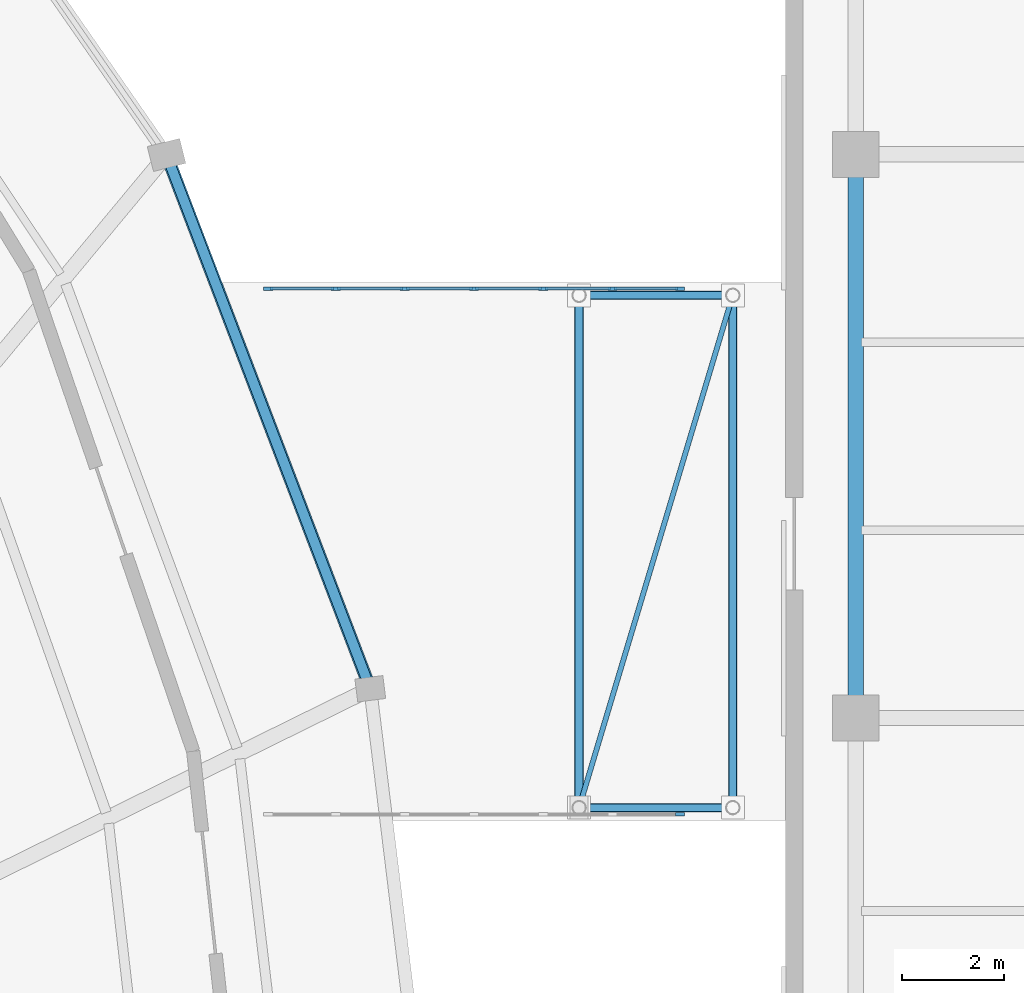
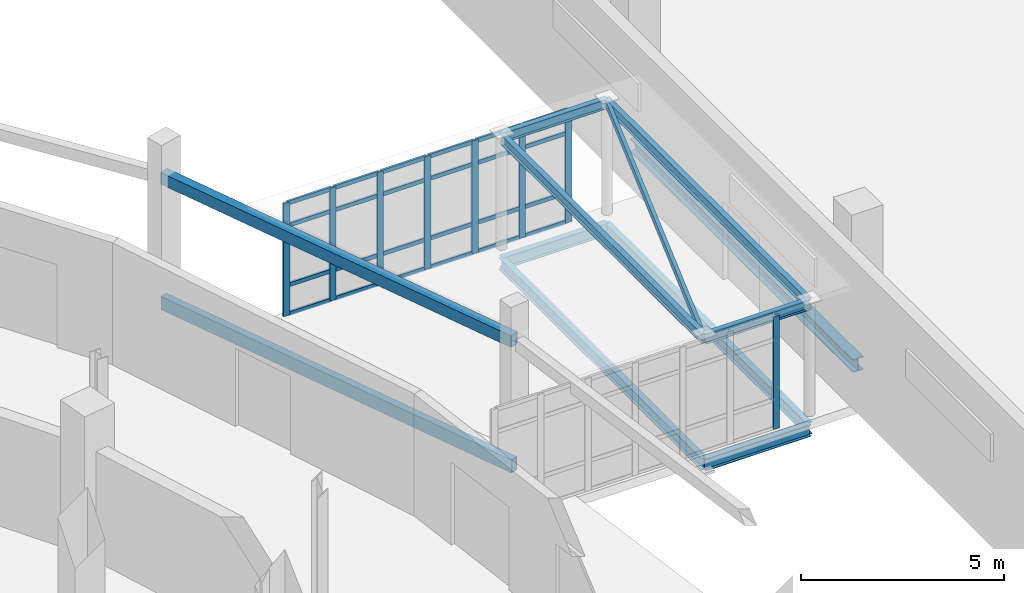
# One storey, part 73 of 122: 33 members, 11 beams, 2 elements without a shape of their own.
"""IFC4 building model written with IfcOpenShell, lengths in metres."""

from ifc_helpers import new_model, si_unit, direction, frame, origin, origin_2d, place, context, subcontext, project, spatial, rectangle, hollow_rectangle, i_section, extrude, material, layer, layer_set, material_profile, profile_set, type_object, element, aggregate, save


model = new_model("IFC4")

# Units and contexts
model_context = context("Model", 3, precision=1e-05, world=origin(), true_north=direction((0.0, 1.0)))
body_context = subcontext(model_context, "Body", "Model", "MODEL_VIEW")
ifc_project = project(units=[si_unit("LENGTHUNIT", "METRE"), si_unit("AREAUNIT", "SQUARE_METRE"), si_unit("VOLUMEUNIT", "CUBIC_METRE"), si_unit("PLANEANGLEUNIT", "RADIAN"), si_unit("MASSUNIT", "GRAM", prefix="KILO")], contexts=[model_context])

# Site, building, storey
site_placement = place(None, origin())
site = spatial("IfcSite", under=ifc_project, at=site_placement, CompositionType="ELEMENT")
building_placement = place(site_placement, origin())
building = spatial("IfcBuilding", under=site, at=building_placement, Name="Sohan Crest Arena", CompositionType="ELEMENT")
storey_placement = place(building_placement, origin())
storey = spatial("IfcBuildingStorey", under=building, at=storey_placement, Name="L00", CompositionType="ELEMENT", Elevation=0.0)

# Curtain wall, member
ifc_material_1 = material(Name="Thermally broken anodised aluminium", Category="aluminium")
ifc_layer = layer(ifc_material_1, 0.18994140625, Name="Thermally broken anodised aluminium")
ifc_layer_set = layer_set([ifc_layer], Name="Thermally broken anodised aluminium")
curtain_wall_type = type_object("IfcCurtainWallType", Name="ARC-CW05", PredefinedType="NOTDEFINED", material=ifc_layer_set)
curtain_wall_1_placement = place(storey_placement, origin())
curtain_wall_1 = element("IfcCurtainWall", 1, at=curtain_wall_1_placement, inside=storey, type_object=curtain_wall_type, Name="Unitised curtain wall CW-245", PredefinedType="NOTDEFINED")
ifc_material_profile_1 = material_profile(ifc_material_1, rectangle(XDim=0.06494140625, YDim=0.179931640625, at=origin_2d()), Name="ALU-MULL 65x180")
ifc_profile_set_1 = profile_set([ifc_material_profile_1], Name="Thermally broken anodised aluminium")
member_type_1 = type_object("IfcMemberType", Name="ARC-CW-ML02", PredefinedType="MULLION", material=ifc_profile_set_1)
member_1_placement = place(storey_placement, frame((192.767578125, 86.6201171875, 0.0), z_axis=(0.0, 0.0, 1.0), x_axis=(0.0, 1.0, 0.0)))
member_1 = element("IfcMember", 2, at=member_1_placement, type_object=member_type_1, Name="CW-245 mullion 7", PredefinedType="MULLION", context=body_context, shape_type="SweptSolid", body=[
    extrude(rectangle(XDim=0.06494140625, YDim=0.179931640625, at=origin_2d()), origin(), (0.0, 0.0, 1.0), 3.39990234375),
])
aggregate(curtain_wall_1, [member_1])

# Curtain wall, members
curtain_wall_2_placement = place(storey_placement, origin())
curtain_wall_2 = element("IfcCurtainWall", 3, at=curtain_wall_2_placement, inside=storey, type_object=curtain_wall_type, Name="Unitised curtain wall CW-246", PredefinedType="NOTDEFINED")
member_2_placement = place(storey_placement, frame((184.732421875, 96.8798828125, 0.0), z_axis=(0.0, 0.0, 1.0), x_axis=(0.0, 1.0, 0.0)))
member_2 = element("IfcMember", 4, at=member_2_placement, type_object=member_type_1, Name="CW-246 mullion 1", PredefinedType="MULLION", context=body_context, shape_type="SweptSolid", body=[
    extrude(rectangle(XDim=0.06494140625, YDim=0.179931640625, at=origin_2d()), origin(), (0.0, 0.0, 1.0), 3.39990234375),
])
member_3_placement = place(storey_placement, frame((186.050048828125, 96.8798828125, 0.0), z_axis=(0.0, 0.0, 1.0), x_axis=(0.0, 1.0, 0.0)))
member_3 = element("IfcMember", 5, at=member_3_placement, type_object=member_type_1, Name="CW-246 mullion 2", PredefinedType="MULLION", context=body_context, shape_type="SweptSolid", body=[
    extrude(rectangle(XDim=0.06494140625, YDim=0.179931640625, at=origin_2d()), origin(), (0.0, 0.0, 1.0), 3.39990234375),
])
member_4_placement = place(storey_placement, frame((187.39990234375, 96.8798828125, 0.0), z_axis=(0.0, 0.0, 1.0), x_axis=(0.0, 1.0, 0.0)))
member_4 = element("IfcMember", 6, at=member_4_placement, type_object=member_type_1, Name="CW-246 mullion 3", PredefinedType="MULLION", context=body_context, shape_type="SweptSolid", body=[
    extrude(rectangle(XDim=0.06494140625, YDim=0.179931640625, at=origin_2d()), origin(), (0.0, 0.0, 1.0), 3.39990234375),
])
member_5_placement = place(storey_placement, frame((188.75, 96.8798828125, 0.0), z_axis=(0.0, 0.0, 1.0), x_axis=(0.0, 1.0, 0.0)))
member_5 = element("IfcMember", 7, at=member_5_placement, type_object=member_type_1, Name="CW-246 mullion 4", PredefinedType="MULLION", context=body_context, shape_type="SweptSolid", body=[
    extrude(rectangle(XDim=0.06494140625, YDim=0.179931640625, at=origin_2d()), origin(), (0.0, 0.0, 1.0), 3.39990234375),
])
member_6_placement = place(storey_placement, frame((190.10009765625, 96.8798828125, 0.0), z_axis=(0.0, 0.0, 1.0), x_axis=(0.0, 1.0, 0.0)))
member_6 = element("IfcMember", 8, at=member_6_placement, type_object=member_type_1, Name="CW-246 mullion 5", PredefinedType="MULLION", context=body_context, shape_type="SweptSolid", body=[
    extrude(rectangle(XDim=0.06494140625, YDim=0.179931640625, at=origin_2d()), origin(), (0.0, 0.0, 1.0), 3.39990234375),
])
member_7_placement = place(storey_placement, frame((191.449951171875, 96.8798828125, 0.0), z_axis=(0.0, 0.0, 1.0), x_axis=(0.0, 1.0, 0.0)))
member_7 = element("IfcMember", 9, at=member_7_placement, type_object=member_type_1, Name="CW-246 mullion 6", PredefinedType="MULLION", context=body_context, shape_type="SweptSolid", body=[
    extrude(rectangle(XDim=0.06494140625, YDim=0.179931640625, at=origin_2d()), origin(), (0.0, 0.0, 1.0), 3.39990234375),
])
member_8_placement = place(storey_placement, frame((192.767578125, 96.8798828125, 0.0), z_axis=(0.0, 0.0, 1.0), x_axis=(0.0, 1.0, 0.0)))
member_8 = element("IfcMember", 10, at=member_8_placement, type_object=member_type_1, Name="CW-246 mullion 7", PredefinedType="MULLION", context=body_context, shape_type="SweptSolid", body=[
    extrude(rectangle(XDim=0.06494140625, YDim=0.179931640625, at=origin_2d()), origin(), (0.0, 0.0, 1.0), 3.39990234375),
])
ifc_material_profile_2 = material_profile(ifc_material_1, rectangle(XDim=0.06005859375, YDim=0.1201171875, at=origin_2d()), Name="ALU-TRAN 60x120")
ifc_profile_set_2 = profile_set([ifc_material_profile_2], Name="Thermally broken anodised aluminium")
member_type_2 = type_object("IfcMemberType", Name="ARC-CW-TR01", PredefinedType="USERDEFINED", material=ifc_profile_set_2)
member_9_placement = place(storey_placement, frame((184.764892578125, 96.8798828125, 0.030029296875), z_axis=(1.0, 0.0, 0.0), x_axis=(0.0, 1.0, 0.0)))
member_9 = element("IfcMember", 11, at=member_9_placement, type_object=member_type_2, Name="CW-246 transom 1.1", ObjectType="TRANSOM", PredefinedType="USERDEFINED", context=body_context, shape_type="SweptSolid", body=[
    extrude(rectangle(XDim=0.06005859375, YDim=0.1201171875, at=origin_2d()), origin(), (0.0, 0.0, 1.0), 1.252685546875),
])
member_10_placement = place(storey_placement, frame((184.764892578125, 96.8798828125, 0.89990234375), z_axis=(1.0, 0.0, 0.0), x_axis=(0.0, 1.0, 0.0)))
member_10 = element("IfcMember", 12, at=member_10_placement, type_object=member_type_2, Name="CW-246 transom 1.2", ObjectType="TRANSOM", PredefinedType="USERDEFINED", context=body_context, shape_type="SweptSolid", body=[
    extrude(rectangle(XDim=0.06005859375, YDim=0.1201171875, at=origin_2d()), origin(), (0.0, 0.0, 1.0), 1.252685546875),
])
member_11_placement = place(storey_placement, frame((184.764892578125, 96.8798828125, 2.699951171875), z_axis=(1.0, 0.0, 0.0), x_axis=(0.0, 1.0, 0.0)))
member_11 = element("IfcMember", 13, at=member_11_placement, type_object=member_type_2, Name="CW-246 transom 1.3", ObjectType="TRANSOM", PredefinedType="USERDEFINED", context=body_context, shape_type="SweptSolid", body=[
    extrude(rectangle(XDim=0.06005859375, YDim=0.1201171875, at=origin_2d()), origin(), (0.0, 0.0, 1.0), 1.252685546875),
])
member_12_placement = place(storey_placement, frame((184.764892578125, 96.8798828125, 3.3701171875), z_axis=(1.0, 0.0, 0.0), x_axis=(0.0, 1.0, 0.0)))
member_12 = element("IfcMember", 14, at=member_12_placement, type_object=member_type_2, Name="CW-246 transom 1.4", ObjectType="TRANSOM", PredefinedType="USERDEFINED", context=body_context, shape_type="SweptSolid", body=[
    extrude(rectangle(XDim=0.06005859375, YDim=0.1201171875, at=origin_2d()), origin(), (0.0, 0.0, 1.0), 1.252685546875),
])
member_13_placement = place(storey_placement, frame((186.08251953125, 96.8798828125, 0.030029296875), z_axis=(1.0, 0.0, 0.0), x_axis=(0.0, 1.0, 0.0)))
member_13 = element("IfcMember", 15, at=member_13_placement, type_object=member_type_2, Name="CW-246 transom 2.1", ObjectType="TRANSOM", PredefinedType="USERDEFINED", context=body_context, shape_type="SweptSolid", body=[
    extrude(rectangle(XDim=0.06005859375, YDim=0.1201171875, at=origin_2d()), origin(), (0.0, 0.0, 1.0), 1.284912109375),
])
member_14_placement = place(storey_placement, frame((186.08251953125, 96.8798828125, 0.89990234375), z_axis=(1.0, 0.0, 0.0), x_axis=(0.0, 1.0, 0.0)))
member_14 = element("IfcMember", 16, at=member_14_placement, type_object=member_type_2, Name="CW-246 transom 2.2", ObjectType="TRANSOM", PredefinedType="USERDEFINED", context=body_context, shape_type="SweptSolid", body=[
    extrude(rectangle(XDim=0.06005859375, YDim=0.1201171875, at=origin_2d()), origin(), (0.0, 0.0, 1.0), 1.284912109375),
])
member_15_placement = place(storey_placement, frame((186.08251953125, 96.8798828125, 2.699951171875), z_axis=(1.0, 0.0, 0.0), x_axis=(0.0, 1.0, 0.0)))
member_15 = element("IfcMember", 17, at=member_15_placement, type_object=member_type_2, Name="CW-246 transom 2.3", ObjectType="TRANSOM", PredefinedType="USERDEFINED", context=body_context, shape_type="SweptSolid", body=[
    extrude(rectangle(XDim=0.06005859375, YDim=0.1201171875, at=origin_2d()), origin(), (0.0, 0.0, 1.0), 1.284912109375),
])
member_16_placement = place(storey_placement, frame((186.08251953125, 96.8798828125, 3.3701171875), z_axis=(1.0, 0.0, 0.0), x_axis=(0.0, 1.0, 0.0)))
member_16 = element("IfcMember", 18, at=member_16_placement, type_object=member_type_2, Name="CW-246 transom 2.4", ObjectType="TRANSOM", PredefinedType="USERDEFINED", context=body_context, shape_type="SweptSolid", body=[
    extrude(rectangle(XDim=0.06005859375, YDim=0.1201171875, at=origin_2d()), origin(), (0.0, 0.0, 1.0), 1.284912109375),
])
member_17_placement = place(storey_placement, frame((187.4326171875, 96.8798828125, 0.030029296875), z_axis=(1.0, 0.0, 0.0), x_axis=(0.0, 1.0, 0.0)))
member_17 = element("IfcMember", 19, at=member_17_placement, type_object=member_type_2, Name="CW-246 transom 3.1", ObjectType="TRANSOM", PredefinedType="USERDEFINED", context=body_context, shape_type="SweptSolid", body=[
    extrude(rectangle(XDim=0.06005859375, YDim=0.1201171875, at=origin_2d()), origin(), (0.0, 0.0, 1.0), 1.284912109375),
])
member_18_placement = place(storey_placement, frame((187.4326171875, 96.8798828125, 0.89990234375), z_axis=(1.0, 0.0, 0.0), x_axis=(0.0, 1.0, 0.0)))
member_18 = element("IfcMember", 20, at=member_18_placement, type_object=member_type_2, Name="CW-246 transom 3.2", ObjectType="TRANSOM", PredefinedType="USERDEFINED", context=body_context, shape_type="SweptSolid", body=[
    extrude(rectangle(XDim=0.06005859375, YDim=0.1201171875, at=origin_2d()), origin(), (0.0, 0.0, 1.0), 1.284912109375),
])
member_19_placement = place(storey_placement, frame((187.4326171875, 96.8798828125, 2.699951171875), z_axis=(1.0, 0.0, 0.0), x_axis=(0.0, 1.0, 0.0)))
member_19 = element("IfcMember", 21, at=member_19_placement, type_object=member_type_2, Name="CW-246 transom 3.3", ObjectType="TRANSOM", PredefinedType="USERDEFINED", context=body_context, shape_type="SweptSolid", body=[
    extrude(rectangle(XDim=0.06005859375, YDim=0.1201171875, at=origin_2d()), origin(), (0.0, 0.0, 1.0), 1.284912109375),
])
member_20_placement = place(storey_placement, frame((187.4326171875, 96.8798828125, 3.3701171875), z_axis=(1.0, 0.0, 0.0), x_axis=(0.0, 1.0, 0.0)))
member_20 = element("IfcMember", 22, at=member_20_placement, type_object=member_type_2, Name="CW-246 transom 3.4", ObjectType="TRANSOM", PredefinedType="USERDEFINED", context=body_context, shape_type="SweptSolid", body=[
    extrude(rectangle(XDim=0.06005859375, YDim=0.1201171875, at=origin_2d()), origin(), (0.0, 0.0, 1.0), 1.284912109375),
])
member_21_placement = place(storey_placement, frame((188.782470703125, 96.8798828125, 0.030029296875), z_axis=(1.0, 0.0, 0.0), x_axis=(0.0, 1.0, 0.0)))
member_21 = element("IfcMember", 23, at=member_21_placement, type_object=member_type_2, Name="CW-246 transom 4.1", ObjectType="TRANSOM", PredefinedType="USERDEFINED", context=body_context, shape_type="SweptSolid", body=[
    extrude(rectangle(XDim=0.06005859375, YDim=0.1201171875, at=origin_2d()), origin(), (0.0, 0.0, 1.0), 1.284912109375),
])
member_22_placement = place(storey_placement, frame((188.782470703125, 96.8798828125, 0.89990234375), z_axis=(1.0, 0.0, 0.0), x_axis=(0.0, 1.0, 0.0)))
member_22 = element("IfcMember", 24, at=member_22_placement, type_object=member_type_2, Name="CW-246 transom 4.2", ObjectType="TRANSOM", PredefinedType="USERDEFINED", context=body_context, shape_type="SweptSolid", body=[
    extrude(rectangle(XDim=0.06005859375, YDim=0.1201171875, at=origin_2d()), origin(), (0.0, 0.0, 1.0), 1.284912109375),
])
member_23_placement = place(storey_placement, frame((188.782470703125, 96.8798828125, 2.699951171875), z_axis=(1.0, 0.0, 0.0), x_axis=(0.0, 1.0, 0.0)))
member_23 = element("IfcMember", 25, at=member_23_placement, type_object=member_type_2, Name="CW-246 transom 4.3", ObjectType="TRANSOM", PredefinedType="USERDEFINED", context=body_context, shape_type="SweptSolid", body=[
    extrude(rectangle(XDim=0.06005859375, YDim=0.1201171875, at=origin_2d()), origin(), (0.0, 0.0, 1.0), 1.284912109375),
])
member_24_placement = place(storey_placement, frame((188.782470703125, 96.8798828125, 3.3701171875), z_axis=(1.0, 0.0, 0.0), x_axis=(0.0, 1.0, 0.0)))
member_24 = element("IfcMember", 26, at=member_24_placement, type_object=member_type_2, Name="CW-246 transom 4.4", ObjectType="TRANSOM", PredefinedType="USERDEFINED", context=body_context, shape_type="SweptSolid", body=[
    extrude(rectangle(XDim=0.06005859375, YDim=0.1201171875, at=origin_2d()), origin(), (0.0, 0.0, 1.0), 1.284912109375),
])
member_25_placement = place(storey_placement, frame((190.132568359375, 96.8798828125, 0.030029296875), z_axis=(1.0, 0.0, 0.0), x_axis=(0.0, 1.0, 0.0)))
member_25 = element("IfcMember", 27, at=member_25_placement, type_object=member_type_2, Name="CW-246 transom 5.1", ObjectType="TRANSOM", PredefinedType="USERDEFINED", context=body_context, shape_type="SweptSolid", body=[
    extrude(rectangle(XDim=0.06005859375, YDim=0.1201171875, at=origin_2d()), origin(), (0.0, 0.0, 1.0), 1.284912109375),
])
member_26_placement = place(storey_placement, frame((190.132568359375, 96.8798828125, 0.89990234375), z_axis=(1.0, 0.0, 0.0), x_axis=(0.0, 1.0, 0.0)))
member_26 = element("IfcMember", 28, at=member_26_placement, type_object=member_type_2, Name="CW-246 transom 5.2", ObjectType="TRANSOM", PredefinedType="USERDEFINED", context=body_context, shape_type="SweptSolid", body=[
    extrude(rectangle(XDim=0.06005859375, YDim=0.1201171875, at=origin_2d()), origin(), (0.0, 0.0, 1.0), 1.284912109375),
])
member_27_placement = place(storey_placement, frame((190.132568359375, 96.8798828125, 2.699951171875), z_axis=(1.0, 0.0, 0.0), x_axis=(0.0, 1.0, 0.0)))
member_27 = element("IfcMember", 29, at=member_27_placement, type_object=member_type_2, Name="CW-246 transom 5.3", ObjectType="TRANSOM", PredefinedType="USERDEFINED", context=body_context, shape_type="SweptSolid", body=[
    extrude(rectangle(XDim=0.06005859375, YDim=0.1201171875, at=origin_2d()), origin(), (0.0, 0.0, 1.0), 1.284912109375),
])
member_28_placement = place(storey_placement, frame((190.132568359375, 96.8798828125, 3.3701171875), z_axis=(1.0, 0.0, 0.0), x_axis=(0.0, 1.0, 0.0)))
member_28 = element("IfcMember", 30, at=member_28_placement, type_object=member_type_2, Name="CW-246 transom 5.4", ObjectType="TRANSOM", PredefinedType="USERDEFINED", context=body_context, shape_type="SweptSolid", body=[
    extrude(rectangle(XDim=0.06005859375, YDim=0.1201171875, at=origin_2d()), origin(), (0.0, 0.0, 1.0), 1.284912109375),
])
member_29_placement = place(storey_placement, frame((191.482421875, 96.8798828125, 0.030029296875), z_axis=(1.0, 0.0, 0.0), x_axis=(0.0, 1.0, 0.0)))
member_29 = element("IfcMember", 31, at=member_29_placement, type_object=member_type_2, Name="CW-246 transom 6.1", ObjectType="TRANSOM", PredefinedType="USERDEFINED", context=body_context, shape_type="SweptSolid", body=[
    extrude(rectangle(XDim=0.06005859375, YDim=0.1201171875, at=origin_2d()), origin(), (0.0, 0.0, 1.0), 1.252685546875),
])
member_30_placement = place(storey_placement, frame((191.482421875, 96.8798828125, 0.89990234375), z_axis=(1.0, 0.0, 0.0), x_axis=(0.0, 1.0, 0.0)))
member_30 = element("IfcMember", 32, at=member_30_placement, type_object=member_type_2, Name="CW-246 transom 6.2", ObjectType="TRANSOM", PredefinedType="USERDEFINED", context=body_context, shape_type="SweptSolid", body=[
    extrude(rectangle(XDim=0.06005859375, YDim=0.1201171875, at=origin_2d()), origin(), (0.0, 0.0, 1.0), 1.252685546875),
])
member_31_placement = place(storey_placement, frame((191.482421875, 96.8798828125, 2.699951171875), z_axis=(1.0, 0.0, 0.0), x_axis=(0.0, 1.0, 0.0)))
member_31 = element("IfcMember", 33, at=member_31_placement, type_object=member_type_2, Name="CW-246 transom 6.3", ObjectType="TRANSOM", PredefinedType="USERDEFINED", context=body_context, shape_type="SweptSolid", body=[
    extrude(rectangle(XDim=0.06005859375, YDim=0.1201171875, at=origin_2d()), origin(), (0.0, 0.0, 1.0), 1.252685546875),
])
member_32_placement = place(storey_placement, frame((191.482421875, 96.8798828125, 3.3701171875), z_axis=(1.0, 0.0, 0.0), x_axis=(0.0, 1.0, 0.0)))
member_32 = element("IfcMember", 34, at=member_32_placement, type_object=member_type_2, Name="CW-246 transom 6.4", ObjectType="TRANSOM", PredefinedType="USERDEFINED", context=body_context, shape_type="SweptSolid", body=[
    extrude(rectangle(XDim=0.06005859375, YDim=0.1201171875, at=origin_2d()), origin(), (0.0, 0.0, 1.0), 1.252685546875),
])
aggregate(curtain_wall_2, [member_2, member_3, member_4, member_5, member_6, member_7, member_8, member_9, member_10, member_11, member_12, member_13, member_14, member_15, member_16, member_17, member_18, member_19, member_20, member_21, member_22, member_23, member_24, member_25, member_26, member_27, member_28, member_29, member_30, member_31, member_32])

# Beams
ifc_material_2 = material(Name="Steel S355", Category="steel")
ifc_material_profile_3 = material_profile(ifc_material_2, i_section(OverallWidth=0.14990234375, OverallDepth=0.300048828125, WebThickness=0.007080078125, FlangeThickness=0.0107421875, at=origin_2d()), Name="IPE 300")
ifc_profile_set_3 = profile_set([ifc_material_profile_3], Name="Steel S355")
beam_type_1 = type_object("IfcBeamType", Name="STR-BM-B01", PredefinedType="JOIST", material=ifc_profile_set_3)
for number, where, z_axis, x_axis, name in (
    (35, (190.800048828125, 86.75, 3.324951171875), (1.0, 0.0, 0.0), (0.0, 1.0, 0.0), "Structural beam BRG-L00-2980"),
    (36, (190.800048828125, 96.75, 3.324951171875), (1.0, 0.0, 0.0), (0.0, 1.0, 0.0), "Structural beam BRG-L00-2981"),
):
    element("IfcBeam", number, at=place(storey_placement, frame(where, z_axis=z_axis, x_axis=x_axis)), inside=storey, type_object=beam_type_1, Name=name, PredefinedType="JOIST", context=body_context, shape_type="SweptSolid", body=[
        extrude(i_section(OverallWidth=0.14990234375, OverallDepth=0.300048828125, WebThickness=0.007080078125, FlangeThickness=0.0107421875, at=origin_2d()), origin(), (0.0, 0.0, 1.0), 3.0),
    ])
for number, where, z_axis, x_axis, name in (
    (37, (190.800048828125, 86.75, 3.324951171875), (0.0, 1.0, 0.0), (-1.0, 0.0, 0.0), "Structural beam BRG-L00-2982"),
    (38, (193.800048828125, 86.75, 3.324951171875), (0.0, 1.0, 0.0), (-1.0, 0.0, 0.0), "Structural beam BRG-L00-2983"),
):
    element("IfcBeam", number, at=place(storey_placement, frame(where, z_axis=z_axis, x_axis=x_axis)), inside=storey, type_object=beam_type_1, Name=name, PredefinedType="JOIST", context=body_context, shape_type="SweptSolid", body=[
        extrude(i_section(OverallWidth=0.14990234375, OverallDepth=0.300048828125, WebThickness=0.007080078125, FlangeThickness=0.0107421875, at=origin_2d()), origin(), (0.0, 0.0, 1.0), 10.0),
    ])
ifc_material_profile_4 = material_profile(ifc_material_2, i_section(OverallWidth=0.169921875, OverallDepth=0.360107421875, WebThickness=0.008056640625, FlangeThickness=0.0126953125, at=origin_2d()), Name="IPE 360")
ifc_profile_set_4 = profile_set([ifc_material_profile_4], Name="Steel S355")
beam_type_2 = type_object("IfcBeamType", Name="STR-BM-B02", PredefinedType="JOIST", material=ifc_profile_set_4)
for number, where, z_axis, x_axis, name in (
    (39, (190.800048828125, 86.75, -0.455078125), (1.0, 0.0, 0.0), (0.0, 1.0, 0.0), "Structural beam BG-L00-2976"),
    (40, (190.800048828125, 96.75, -0.455078125), (1.0, 0.0, 0.0), (0.0, 1.0, 0.0), "Structural beam BG-L00-2977"),
):
    element("IfcBeam", number, at=place(storey_placement, frame(where, z_axis=z_axis, x_axis=x_axis)), inside=storey, type_object=beam_type_2, Name=name, PredefinedType="JOIST", context=body_context, shape_type="SweptSolid", body=[
        extrude(i_section(OverallWidth=0.169921875, OverallDepth=0.360107421875, WebThickness=0.008056640625, FlangeThickness=0.0126953125, at=origin_2d()), origin(), (0.0, 0.0, 1.0), 3.0),
    ])
for number, where, z_axis, x_axis, name in (
    (41, (190.800048828125, 86.75, -0.455078125), (0.0, 1.0, 0.0), (-1.0, 0.0, 0.0), "Structural beam BG-L00-2978"),
    (42, (193.800048828125, 86.75, -0.455078125), (0.0, 1.0, 0.0), (-1.0, 0.0, 0.0), "Structural beam BG-L00-2979"),
):
    element("IfcBeam", number, at=place(storey_placement, frame(where, z_axis=z_axis, x_axis=x_axis)), inside=storey, type_object=beam_type_2, Name=name, PredefinedType="JOIST", context=body_context, shape_type="SweptSolid", body=[
        extrude(i_section(OverallWidth=0.169921875, OverallDepth=0.360107421875, WebThickness=0.008056640625, FlangeThickness=0.0126953125, at=origin_2d()), origin(), (0.0, 0.0, 1.0), 10.0),
    ])
ifc_material_profile_5 = material_profile(ifc_material_2, i_section(OverallWidth=0.300048828125, OverallDepth=0.389892578125, WebThickness=0.010986328125, FlangeThickness=0.01904296875, at=origin_2d()), Name="HEA 400")
ifc_profile_set_5 = profile_set([ifc_material_profile_5], Name="Steel S355")
beam_type_3 = type_object("IfcBeamType", Name="STR-BM-B09", PredefinedType="BEAM", material=ifc_profile_set_5)
beam_1_placement = place(storey_placement, frame((196.199951171875, 88.5, -0.425048828125), z_axis=(0.0, 1.0, 0.0), x_axis=(-1.0, 0.0, 0.0)))
element("IfcBeam", 43, at=beam_1_placement, inside=storey, type_object=beam_type_3, Name="Structural beam G-L00-2187", PredefinedType="BEAM", context=body_context, shape_type="SweptSolid", body=[
    extrude(i_section(OverallWidth=0.300048828125, OverallDepth=0.389892578125, WebThickness=0.010986328125, FlangeThickness=0.01904296875, at=origin_2d()), origin(), (0.0, 0.0, 1.0), 11.0),
])
ifc_material_profile_6 = material_profile(ifc_material_2, hollow_rectangle(XDim=0.25, YDim=0.35009765625, WallThickness=0.012451171875, at=origin_2d()), Name="RHS 350x250x12.5")
ifc_profile_set_6 = profile_set([ifc_material_profile_6], Name="Steel S355")
beam_type_4 = type_object("IfcBeamType", Name="STR-BM-SP04", PredefinedType="SPANDREL", material=ifc_profile_set_6)
beam_2_placement = place(storey_placement, frame((186.72509765625, 89.070068359375, 3.300048828125), z_axis=(-0.356539672716, 0.934280183767, 0.0), x_axis=(-0.934280183767, -0.356539672716, 0.0)))
element("IfcBeam", 44, at=beam_2_placement, inside=storey, type_object=beam_type_4, Name="Structural beam ARC-L00-1035", PredefinedType="SPANDREL", context=body_context, shape_type="SweptSolid", body=[
    extrude(hollow_rectangle(XDim=0.25, YDim=0.35009765625, WallThickness=0.012451171875, at=origin_2d()), origin(), (0.0, 0.0, 1.0), 11.15185546875),
])
ifc_material_profile_7 = material_profile(ifc_material_2, hollow_rectangle(XDim=0.199951171875, YDim=0.39990234375, WallThickness=0.012451171875, at=origin_2d()), Name="RHS 400x200x12.5")
ifc_profile_set_7 = profile_set([ifc_material_profile_7], Name="Steel S355")
beam_type_5 = type_object("IfcBeamType", Name="STR-BM-SP05", PredefinedType="SPANDREL", material=ifc_profile_set_7)
beam_3_placement = place(storey_placement, frame((186.72509765625, 89.070068359375, -0.47509765625), z_axis=(-0.356539672716, 0.934280183767, 0.0), x_axis=(-0.934280183767, -0.356539672716, 0.0)))
element("IfcBeam", 45, at=beam_3_placement, inside=storey, type_object=beam_type_5, Name="Structural beam SP-L00-1034", PredefinedType="SPANDREL", context=body_context, shape_type="SweptSolid", body=[
    extrude(hollow_rectangle(XDim=0.199951171875, YDim=0.39990234375, WallThickness=0.012451171875, at=origin_2d()), origin(), (0.0, 0.0, 1.0), 11.15185546875),
])

# Member
ifc_material_profile_8 = material_profile(ifc_material_2, hollow_rectangle(XDim=0.10009765625, YDim=0.199951171875, WallThickness=0.008056640625, at=origin_2d()), Name="RHS 200x100x8")
ifc_profile_set_8 = profile_set([ifc_material_profile_8], Name="Steel S355")
member_type_3 = type_object("IfcMemberType", Name="STR-MEM-CH01", PredefinedType="CHORD", material=ifc_profile_set_8)
member_33_placement = place(storey_placement, frame((190.800048828125, 86.75, 3.324951171875), z_axis=(0.287347885566, 0.957826285221, 0.0), x_axis=(-0.957826285221, 0.287347885566, 0.0)))
element("IfcMember", 46, at=member_33_placement, inside=storey, type_object=member_type_3, Name="Bridge roof tie chord CH-004", PredefinedType="CHORD", context=body_context, shape_type="SweptSolid", body=[
    extrude(hollow_rectangle(XDim=0.10009765625, YDim=0.199951171875, WallThickness=0.008056640625, at=origin_2d()), origin(), (0.0, 0.0, 1.0), 10.440185546875),
])

save(model, "model.ifc")
